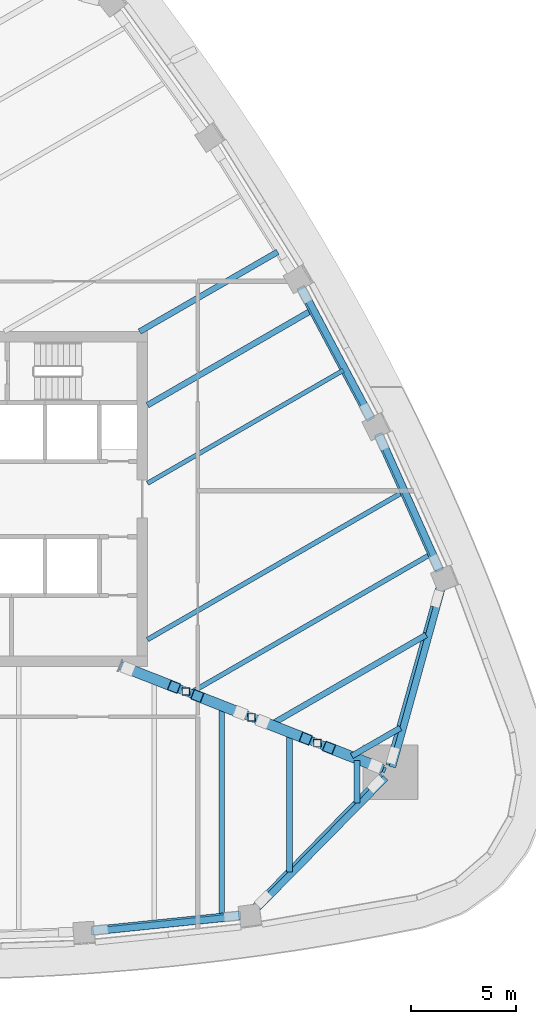
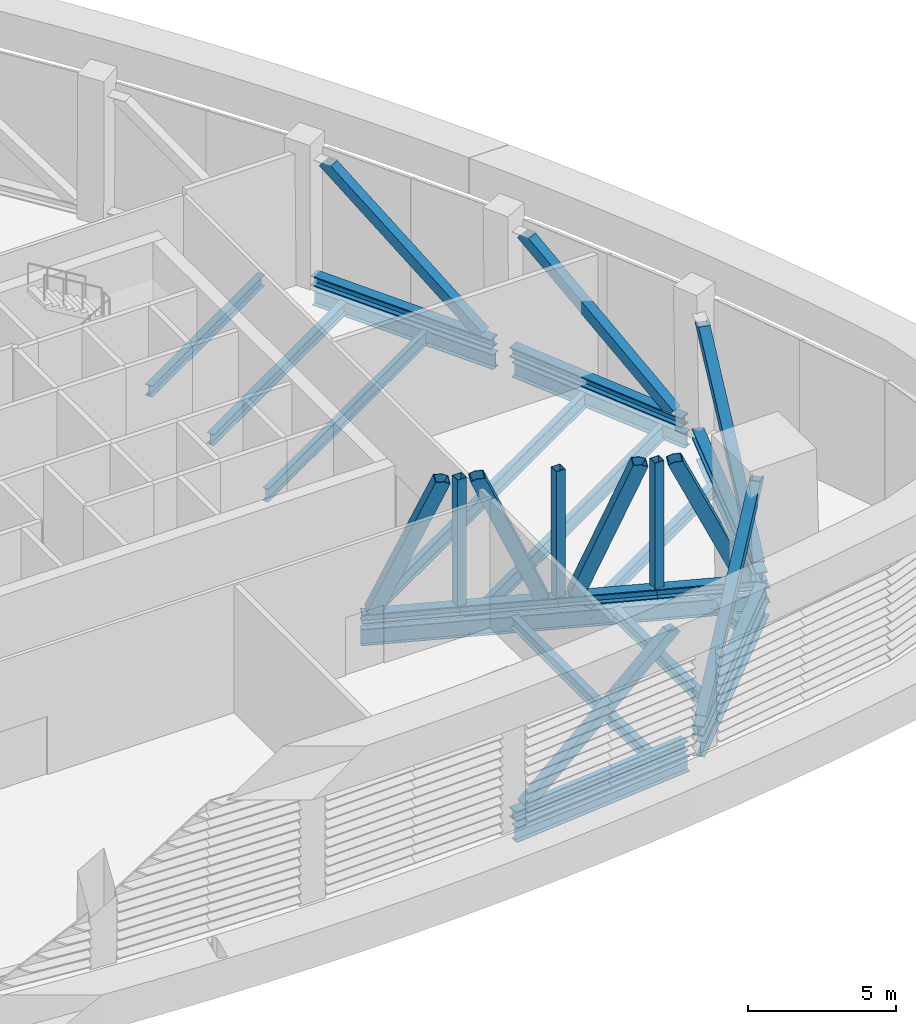
# One storey, part 3 of 18: 25 beams, 12 members.
"""IFC4 building model written with IfcOpenShell, lengths in metres."""

from ifc_helpers import new_model, si_unit, direction, frame, origin, origin_2d, place, context, subcontext, project, spatial, hollow_rectangle, i_section, extrude, clip, halfspace, material, material_profile, profile_set, type_object, element, save


model = new_model("IFC4")

# Units and contexts
model_context = context("Model", 3, precision=1e-05, world=origin(), true_north=direction((0.0, 1.0)))
body_context = subcontext(model_context, "Body", "Model", "MODEL_VIEW")
ifc_project = project(units=[si_unit("LENGTHUNIT", "METRE"), si_unit("AREAUNIT", "SQUARE_METRE"), si_unit("VOLUMEUNIT", "CUBIC_METRE"), si_unit("PLANEANGLEUNIT", "RADIAN"), si_unit("MASSUNIT", "GRAM", prefix="KILO")], contexts=[model_context])

# Site, building, storey
site_placement = place(None, origin())
site = spatial("IfcSite", under=ifc_project, at=site_placement, CompositionType="ELEMENT")
building_placement = place(site_placement, origin())
building = spatial("IfcBuilding", under=site, at=building_placement, Name="Sierra Prisma Convention Tower", CompositionType="ELEMENT")
storey_placement = place(building_placement, frame((0.0, 0.0, 213.800048828125)))
storey = spatial("IfcBuildingStorey", under=building, at=storey_placement, Name="L48", CompositionType="ELEMENT", Elevation=213.800048828125)

# Beams
ifc_material_1 = material(Name="Steel ASTM A992 Gr 50", Category="steel")
ifc_material_profile_1 = material_profile(ifc_material_1, i_section(OverallWidth=0.280029296875, OverallDepth=0.462890625, WebThickness=0.0107421875, FlangeThickness=0.017333984375, at=origin_2d()), Name="W460x113")
ifc_profile_set_1 = profile_set([ifc_material_profile_1], Name="Steel ASTM A992 Gr 50")
beam_type_1 = type_object("IfcBeamType", Name="Plant floor joist W460x113", PredefinedType="JOIST", material=ifc_profile_set_1)
beam_1_placement = place(storey_placement, frame((14.54638671875, -19.92236328125, -0.4814453125), z_axis=(0.0, 1.0, 0.0), x_axis=(-1.0, 0.0, 0.0)))
element("IfcBeam", 1, at=beam_1_placement, inside=storey, type_object=beam_type_1, Name="Floor joist L48 S12", PredefinedType="JOIST", context=body_context, shape_type="SweptSolid", body=[
    extrude(i_section(OverallWidth=0.280029296875, OverallDepth=0.462890625, WebThickness=0.0107421875, FlangeThickness=0.017333984375, at=origin_2d()), origin(), (0.0, 0.0, 1.0), 9.994140625),
])
beam_2_placement = place(storey_placement, frame((17.77880859375, -17.80908203125, -0.4814453125), z_axis=(0.0, 1.0, 0.0), x_axis=(-1.0, 0.0, 0.0)))
element("IfcBeam", 2, at=beam_2_placement, inside=storey, type_object=beam_type_1, Name="Floor joist L48 S13", PredefinedType="JOIST", context=body_context, shape_type="SweptSolid", body=[
    extrude(i_section(OverallWidth=0.280029296875, OverallDepth=0.462890625, WebThickness=0.0107421875, FlangeThickness=0.017333984375, at=origin_2d()), origin(), (0.0, 0.0, 1.0), 6.604736328125),
])
beam_3_placement = place(storey_placement, frame((21.01123046875, -14.524658203125, -0.4814453125), z_axis=(0.0, 1.0, 0.0), x_axis=(-1.0, 0.0, 0.0)))
element("IfcBeam", 3, at=beam_3_placement, inside=storey, type_object=beam_type_1, Name="Floor joist L48 S14", PredefinedType="JOIST", context=body_context, shape_type="SweptSolid", body=[
    extrude(i_section(OverallWidth=0.280029296875, OverallDepth=0.462890625, WebThickness=0.0107421875, FlangeThickness=0.017333984375, at=origin_2d()), origin(), (0.0, 0.0, 1.0), 2.044189453125),
])
beam_4_placement = place(storey_placement, frame((23.084228515625, -10.93408203125, -0.4814453125), z_axis=(-0.866030807744, -0.499990639951, 0.0), x_axis=(0.499990639951, -0.866030807744, 0.0)))
element("IfcBeam", 4, at=beam_4_placement, inside=storey, type_object=beam_type_1, Name="Floor joist L48 NE01", PredefinedType="JOIST", context=body_context, shape_type="SweptSolid", body=[
    extrude(i_section(OverallWidth=0.280029296875, OverallDepth=0.462890625, WebThickness=0.0107421875, FlangeThickness=0.017333984375, at=origin_2d()), origin(), (0.0, 0.0, 1.0), 2.67919921875),
])
beam_5_placement = place(storey_placement, frame((24.3125, -6.492431640625, -0.4814453125), z_axis=(-0.866034993062, -0.499983390516, 0.0), x_axis=(0.499983390516, -0.866034993062, 0.0)))
element("IfcBeam", 5, at=beam_5_placement, inside=storey, type_object=beam_type_1, Name="Floor joist L48 NE02", PredefinedType="JOIST", context=body_context, shape_type="SweptSolid", body=[
    extrude(i_section(OverallWidth=0.280029296875, OverallDepth=0.462890625, WebThickness=0.0107421875, FlangeThickness=0.017333984375, at=origin_2d()), origin(), (0.0, 0.0, 1.0), 8.531005859375),
])
beam_6_placement = place(storey_placement, frame((18.832275390625, 9.006591796875, -0.4814453125), z_axis=(-0.866025099701, -0.500000526688, 0.0), x_axis=(0.500000526688, -0.866025099701, 0.0)))
element("IfcBeam", 6, at=beam_6_placement, inside=storey, type_object=beam_type_1, Name="Floor joist L48 NE07", PredefinedType="JOIST", context=body_context, shape_type="SweptSolid", body=[
    extrude(i_section(OverallWidth=0.280029296875, OverallDepth=0.462890625, WebThickness=0.0107421875, FlangeThickness=0.017333984375, at=origin_2d()), origin(), (0.0, 0.0, 1.0), 9.0439453125),
])
beam_7_placement = place(storey_placement, frame((17.216064453125, 11.805908203125, -0.4814453125), z_axis=(-0.866033902678, -0.499985279196, 0.0), x_axis=(0.499985279196, -0.866033902678, 0.0)))
element("IfcBeam", 7, at=beam_7_placement, inside=storey, type_object=beam_type_1, Name="Floor joist L48 NE08", PredefinedType="JOIST", context=body_context, shape_type="SweptSolid", body=[
    extrude(i_section(OverallWidth=0.280029296875, OverallDepth=0.462890625, WebThickness=0.0107421875, FlangeThickness=0.017333984375, at=origin_2d()), origin(), (0.0, 0.0, 1.0), 7.612060546875),
])
ifc_material_2 = material(Name="Steel ASTM A992 Gr 50", Category="steel")
ifc_material_profile_2 = material_profile(ifc_material_2, i_section(OverallWidth=0.2119140625, OverallDepth=0.5439453125, WebThickness=0.01318359375, FlangeThickness=0.021240234375, at=origin_2d()), Name="W530x123")
ifc_profile_set_2 = profile_set([ifc_material_profile_2], Name="Steel ASTM A992 Gr 50")
beam_type_2 = type_object("IfcBeamType", Name="Plant floor joist W530x123", PredefinedType="JOIST", material=ifc_profile_set_2)
beam_8_placement = place(storey_placement, frame((20.353271484375, 6.152099609375, -0.52197265625), z_axis=(-0.866024093744, -0.500002269049, 0.0), x_axis=(0.500002269049, -0.866024093744, 0.0)))
element("IfcBeam", 8, at=beam_8_placement, inside=storey, type_object=beam_type_2, Name="Floor joist L48 NE06", PredefinedType="JOIST", context=body_context, shape_type="SweptSolid", body=[
    extrude(i_section(OverallWidth=0.2119140625, OverallDepth=0.5439453125, WebThickness=0.01318359375, FlangeThickness=0.021240234375, at=origin_2d()), origin(), (0.0, 0.0, 1.0), 10.80029296875),
])
ifc_material_3 = material(Name="Steel ASTM A992 Gr 50", Category="steel")
ifc_material_profile_3 = material_profile(ifc_material_3, i_section(OverallWidth=0.22900390625, OverallDepth=0.612060546875, WebThickness=0.011962890625, FlangeThickness=0.01953125, at=origin_2d()), Name="W610x125")
ifc_profile_set_3 = profile_set([ifc_material_profile_3], Name="Steel ASTM A992 Gr 50")
beam_type_3 = type_object("IfcBeamType", Name="Plant floor joist W610x125", PredefinedType="JOIST", material=ifc_profile_set_3)
beam_9_placement = place(storey_placement, frame((24.526611328125, -2.63623046875, -0.55615234375), z_axis=(-0.866026185661, -0.499998645748, 0.0), x_axis=(0.499998645748, -0.866026185661, 0.0)))
element("IfcBeam", 9, at=beam_9_placement, inside=storey, type_object=beam_type_3, Name="Floor joist L48 NE03", PredefinedType="JOIST", context=body_context, shape_type="SweptSolid", body=[
    extrude(i_section(OverallWidth=0.22900390625, OverallDepth=0.612060546875, WebThickness=0.011962890625, FlangeThickness=0.01953125, at=origin_2d()), origin(), (0.0, 0.0, 1.0), 13.2119140625),
])
beam_10_placement = place(storey_placement, frame((23.19677734375, 0.32861328125, -0.55615234375), z_axis=(-0.866027391063, -0.499996557917, 0.0), x_axis=(0.499996557917, -0.866027391063, 0.0)))
element("IfcBeam", 10, at=beam_10_placement, inside=storey, type_object=beam_type_3, Name="Floor joist L48 NE04", PredefinedType="JOIST", context=body_context, shape_type="SweptSolid", body=[
    extrude(i_section(OverallWidth=0.22900390625, OverallDepth=0.612060546875, WebThickness=0.011962890625, FlangeThickness=0.01953125, at=origin_2d()), origin(), (0.0, 0.0, 1.0), 14.08349609375),
])
ifc_material_4 = material(Name="Steel ASTM A992 Gr 50", Category="steel")
ifc_material_profile_4 = material_profile(ifc_material_4, i_section(OverallWidth=0.25390625, OverallDepth=0.68408203125, WebThickness=0.012451171875, FlangeThickness=0.018798828125, at=origin_2d()), Name="W690x140")
ifc_profile_set_4 = profile_set([ifc_material_profile_4], Name="Steel ASTM A992 Gr 50")
beam_type_4 = type_object("IfcBeamType", Name="Radial girder W690x140", PredefinedType="BEAM", material=ifc_profile_set_4)
beam_11_placement = place(storey_placement, frame((22.36767578125, -12.96142578125, -0.592041015625), z_axis=(-0.930144597199, 0.367193448064, 0.0), x_axis=(-0.367193448064, -0.930144597199, 0.0)))
element("IfcBeam", 11, at=beam_11_placement, inside=storey, type_object=beam_type_4, Name="Radial girder L48 SE", PredefinedType="BEAM", context=body_context, shape_type="SweptSolid", body=[
    extrude(i_section(OverallWidth=0.25390625, OverallDepth=0.68408203125, WebThickness=0.012451171875, FlangeThickness=0.018798828125, at=origin_2d()), origin(), (0.0, 0.0, 1.0), 13.63134765625),
])
ifc_material_5 = material(Name="Steel ASTM A992 Gr 50", Category="steel")
ifc_material_profile_5 = material_profile(ifc_material_5, i_section(OverallWidth=0.324951171875, OverallDepth=0.615966796875, WebThickness=0.013916015625, FlangeThickness=0.021484375, at=origin_2d()), Name="W610x174")
ifc_profile_set_5 = profile_set([ifc_material_profile_5], Name="Steel ASTM A992 Gr 50")
beam_type_5 = type_object("IfcBeamType", Name="Spandrel beam W610x174", PredefinedType="BEAM", material=ifc_profile_set_5)
beam_12_placement = place(storey_placement, frame((8.347900390625, -20.670166015625, -0.55810546875), z_axis=(0.994804665252, 0.101802151224, 0.0), x_axis=(-0.101802151224, 0.994804665252, 0.0)))
element("IfcBeam", 12, at=beam_12_placement, inside=storey, type_object=beam_type_5, Name="Spandrel L48-05", PredefinedType="BEAM", context=body_context, shape_type="SweptSolid", body=[
    extrude(i_section(OverallWidth=0.324951171875, OverallDepth=0.615966796875, WebThickness=0.013916015625, FlangeThickness=0.021484375, at=origin_2d()), origin(), (0.0, 0.0, 1.0), 7.2138671875),
])
beam_13_placement = place(storey_placement, frame((16.261474609375, -19.532470703125, -0.55810546875), z_axis=(0.70143674743, 0.712731709239, 0.0), x_axis=(-0.712731709239, 0.70143674743, 0.0)))
element("IfcBeam", 13, at=beam_13_placement, inside=storey, type_object=beam_type_5, Name="Spandrel L48-06", PredefinedType="BEAM", context=body_context, shape_type="SweptSolid", body=[
    extrude(i_section(OverallWidth=0.324951171875, OverallDepth=0.615966796875, WebThickness=0.013916015625, FlangeThickness=0.021484375, at=origin_2d()), origin(), (0.0, 0.0, 1.0), 8.7109375),
])
beam_14_placement = place(storey_placement, frame((22.699462890625, -12.803955078125, -0.55810546875), z_axis=(0.26649399375, 0.963836579144, 0.0), x_axis=(-0.963836579144, 0.26649399375, 0.0)))
element("IfcBeam", 14, at=beam_14_placement, inside=storey, type_object=beam_type_5, Name="Spandrel L48-07", PredefinedType="BEAM", context=body_context, shape_type="SweptSolid", body=[
    extrude(i_section(OverallWidth=0.324951171875, OverallDepth=0.615966796875, WebThickness=0.013916015625, FlangeThickness=0.021484375, at=origin_2d()), origin(), (0.0, 0.0, 1.0), 8.8056640625),
])
for number, where, z_axis, x_axis, name in (
    (15, (25.02685546875, -3.4765625, -0.55810546875), (-0.409210408801, 0.912440048074, 0.0), (-0.912440048074, -0.409210408801, 0.0), "Spandrel L48-08"),
    (16, (21.740478515625, 3.7880859375, -0.55810546875), (-0.470266741635, 0.882524329246, 0.0), (-0.882524329246, -0.470266741635, 0.0), "Spandrel L48-09"),
):
    element("IfcBeam", number, at=place(storey_placement, frame(where, z_axis=z_axis, x_axis=x_axis)), inside=storey, type_object=beam_type_5, Name=name, PredefinedType="BEAM", context=body_context, shape_type="SweptSolid", body=[
        extrude(i_section(OverallWidth=0.324951171875, OverallDepth=0.615966796875, WebThickness=0.013916015625, FlangeThickness=0.021484375, at=origin_2d()), origin(), (0.0, 0.0, 1.0), 7.213623046875),
    ])
ifc_material_6 = material(Name="Steel ASTM A992 Gr 50", Category="steel")
ifc_material_profile_6 = material_profile(ifc_material_6, i_section(OverallWidth=0.404052734375, OverallDepth=0.406982421875, WebThickness=0.027099609375, FlangeThickness=0.04443359375, at=origin_2d()), Name="W360x347")
ifc_profile_set_6 = profile_set([ifc_material_profile_6], Name="Steel ASTM A992 Gr 50")
beam_type_6 = type_object("IfcBeamType", Name="Truss chord W360x347", PredefinedType="BEAM", material=ifc_profile_set_6)
beam_15_placement = place(storey_placement, frame((8.312744140625, -20.62548828125, 0.203369140625), z_axis=(0.994795590203, 0.101890793075, 0.0), x_axis=(-0.101890793075, 0.994795590203, 0.0)))
element("IfcBeam", 17, at=beam_15_placement, inside=storey, type_object=beam_type_6, Name="Belt truss L48-05 bottom chord 1", PredefinedType="BEAM", context=body_context, shape_type="SweptSolid", body=[
    extrude(i_section(OverallWidth=0.404052734375, OverallDepth=0.406982421875, WebThickness=0.027099609375, FlangeThickness=0.04443359375, at=origin_2d()), origin(), (0.0, 0.0, 1.0), 7.1787109375),
])
beam_16_placement = place(storey_placement, frame((16.19091796875, -19.4873046875, 0.203369140625), z_axis=(0.698053005961, 0.716046088509, 0.0), x_axis=(-0.716046088509, 0.698053005961, 0.0)))
element("IfcBeam", 18, at=beam_16_placement, inside=storey, type_object=beam_type_6, Name="Belt truss L48-06 bottom chord 1", PredefinedType="BEAM", context=body_context, shape_type="SweptSolid", body=[
    extrude(i_section(OverallWidth=0.404052734375, OverallDepth=0.406982421875, WebThickness=0.027099609375, FlangeThickness=0.04443359375, at=origin_2d()), origin(), (0.0, 0.0, 1.0), 8.697509765625),
])
beam_17_placement = place(storey_placement, frame((22.589111328125, -12.739501953125, 0.203369140625), z_axis=(0.271072915842, 0.962558816019, 0.0), x_axis=(-0.962558816019, 0.271072915842, 0.0)))
element("IfcBeam", 19, at=beam_17_placement, inside=storey, type_object=beam_type_6, Name="Belt truss L48-07 bottom chord 1", PredefinedType="BEAM", context=body_context, shape_type="SweptSolid", body=[
    extrude(i_section(OverallWidth=0.404052734375, OverallDepth=0.406982421875, WebThickness=0.027099609375, FlangeThickness=0.04443359375, at=origin_2d()), origin(), (0.0, 0.0, 1.0), 8.790283203125),
])
beam_18_placement = place(storey_placement, frame((24.955810546875, -3.4365234375, 0.203369140625), z_axis=(-0.409175036838, 0.912455910841, 0.0), x_axis=(-0.912455910841, -0.409175036838, 0.0)))
element("IfcBeam", 20, at=beam_18_placement, inside=storey, type_object=beam_type_6, Name="Belt truss L48-08 bottom chord 1", PredefinedType="BEAM", context=body_context, shape_type="SweptSolid", body=[
    extrude(i_section(OverallWidth=0.404052734375, OverallDepth=0.406982421875, WebThickness=0.027099609375, FlangeThickness=0.04443359375, at=origin_2d()), origin(), (0.0, 0.0, 1.0), 7.178466796875),
])
beam_19_placement = place(storey_placement, frame((21.68408203125, 3.796142578125, 0.203369140625), z_axis=(-0.470243989618, 0.882536452634, 0.0), x_axis=(-0.882536452634, -0.470243989618, 0.0)))
element("IfcBeam", 21, at=beam_19_placement, inside=storey, type_object=beam_type_6, Name="Belt truss L48-09 bottom chord 1", PredefinedType="BEAM", context=body_context, shape_type="SweptSolid", body=[
    extrude(i_section(OverallWidth=0.404052734375, OverallDepth=0.406982421875, WebThickness=0.027099609375, FlangeThickness=0.04443359375, at=origin_2d()), origin(), (0.0, 0.0, 1.0), 7.1787109375),
])
for number, where, z_axis, x_axis, name in (
    (22, (22.255859375, -12.897216796875, 0.203369140625), (-0.930669722047, 0.36586044944, 0.0), (-0.36586044944, -0.930669722047, 0.0), "Outrigger truss L48 SE bottom chord 1"),
    (23, (19.114013671875, -11.662109375, 0.203369140625), (-0.930645096408, 0.365923085541, 0.0), (-0.365923085541, -0.930645096408, 0.0), "Outrigger truss L48 SE bottom chord 2"),
):
    element("IfcBeam", number, at=place(storey_placement, frame(where, z_axis=z_axis, x_axis=x_axis)), inside=storey, type_object=beam_type_6, Name=name, PredefinedType="BEAM", context=body_context, shape_type="SweptSolid", body=[
        extrude(i_section(OverallWidth=0.404052734375, OverallDepth=0.406982421875, WebThickness=0.027099609375, FlangeThickness=0.04443359375, at=origin_2d()), origin(), (0.0, 0.0, 1.0), 3.3759765625),
    ])
beam_20_placement = place(storey_placement, frame((15.97216796875, -10.4267578125, 0.203369140625), z_axis=(-0.930654778631, 0.365898459974, 0.0), x_axis=(-0.365898459974, -0.930654778631, 0.0)))
element("IfcBeam", 24, at=beam_20_placement, inside=storey, type_object=beam_type_6, Name="Outrigger truss L48 SE bottom chord 3", PredefinedType="BEAM", context=body_context, shape_type="SweptSolid", body=[
    extrude(i_section(OverallWidth=0.404052734375, OverallDepth=0.406982421875, WebThickness=0.027099609375, FlangeThickness=0.04443359375, at=origin_2d()), origin(), (0.0, 0.0, 1.0), 3.376220703125),
])
beam_21_placement = place(storey_placement, frame((12.830078125, -9.19140625, 0.203369140625), z_axis=(-0.930649915658, 0.365910828598, 0.0), x_axis=(-0.365910828598, -0.930649915658, 0.0)))
element("IfcBeam", 25, at=beam_21_placement, inside=storey, type_object=beam_type_6, Name="Outrigger truss L48 SE bottom chord 4", PredefinedType="BEAM", context=body_context, shape_type="SweptSolid", body=[
    extrude(i_section(OverallWidth=0.404052734375, OverallDepth=0.406982421875, WebThickness=0.027099609375, FlangeThickness=0.04443359375, at=origin_2d()), origin(), (0.0, 0.0, 1.0), 3.36083984375),
])

# Members
ifc_material_7 = material(Name="Steel ASTM A500 Gr C", Category="steel")
ifc_material_profile_7 = material_profile(ifc_material_7, hollow_rectangle(XDim=0.406005859375, YDim=0.406005859375, WallThickness=0.01904296875, at=origin_2d()), Name="Truss diagonal HSS 406x406x19")
ifc_profile_set_7 = profile_set([ifc_material_profile_7], Name="Steel ASTM A500 Gr C")
member_type_1 = type_object("IfcMemberType", Name="Truss diagonal HSS 406x406x19", PredefinedType="BRACE", material=ifc_profile_set_7)
member_1_placement = place(storey_placement, frame((8.76318359375, -20.579345703125, 0.406982421875), z_axis=(0.788400883793, 0.080752484889, 0.60983857095), x_axis=(-0.101892581208, 0.994795407054, 0.0)))
element("IfcMember", 26, at=member_1_placement, inside=storey, type_object=member_type_1, Name="Belt truss L48-05 diagonal 1", PredefinedType="BRACE", context=body_context, shape_type="SweptSolid", body=[
    clip(clip(extrude(hollow_rectangle(XDim=0.406005859375, YDim=0.406005859375, WallThickness=0.01904296875, at=origin_2d()), origin(), (0.0, 0.0, 1.0), 7.9150390625), halfspace(frame((0.0, 0.01171875, 0.00927734375), z_axis=(0.0, 0.792525657239, 0.60983857095), x_axis=(1.0, 0.0, 0.0)), True)), halfspace(frame((0.0, -0.01171875, 7.906005859375), z_axis=(0.0, -0.792525657239, -0.60983857095), x_axis=(1.0, 0.0, 0.0)), True)),
])
member_2_placement = place(storey_placement, frame((16.54150390625, -19.1279296875, 0.406982421875), z_axis=(0.591295909802, 0.606564177146, 0.531459355035), x_axis=(-0.716061600387, 0.698037093894, 0.0)))
element("IfcMember", 27, at=member_2_placement, inside=storey, type_object=member_type_1, Name="Belt truss L48-06 diagonal 1", PredefinedType="BRACE", context=body_context, shape_type="SweptSolid", body=[
    clip(clip(extrude(hollow_rectangle(XDim=0.406005859375, YDim=0.406005859375, WallThickness=0.01904296875, at=origin_2d()), origin(), (0.0, 0.0, 1.0), 9.082275390625), halfspace(frame((0.0, 0.0126953125, 0.0078125), z_axis=(0.0, 0.847083793934, 0.531459355035), x_axis=(1.0, 0.0, 0.0)), True)), halfspace(frame((0.0, -0.0126953125, 9.074462890625), z_axis=(0.0, -0.847083793934, -0.531459355035), x_axis=(1.0, 0.0, 0.0)), True)),
])
member_3_placement = place(storey_placement, frame((22.725830078125, -12.25341796875, 0.406982421875), z_axis=(0.230379713881, 0.817927977233, 0.527180245733), x_axis=(-0.962547362073, 0.271113584623, 0.0)))
element("IfcMember", 28, at=member_3_placement, inside=storey, type_object=member_type_1, Name="Belt truss L48-07 diagonal 1", PredefinedType="BRACE", context=body_context, shape_type="SweptSolid", body=[
    clip(clip(extrude(hollow_rectangle(XDim=0.406005859375, YDim=0.406005859375, WallThickness=0.01904296875, at=origin_2d()), origin(), (0.0, 0.0, 1.0), 9.156005859375), halfspace(frame((0.0, 0.0126953125, 0.0078125), z_axis=(0.0, 0.849753486906, 0.527180245733), x_axis=(1.0, 0.0, 0.0)), True)), halfspace(frame((0.000244140625, -0.0126953125, 9.148193359375), z_axis=(0.0, -0.849753486906, -0.527180245733), x_axis=(1.0, 0.0, 0.0)), True)),
])
member_4_placement = place(storey_placement, frame((24.7705078125, -3.0234375, 0.406982421875), z_axis=(-0.324270937572, 0.723155343991, 0.609831704246), x_axis=(-0.912463232095, -0.40915871013, 0.0)))
element("IfcMember", 29, at=member_4_placement, inside=storey, type_object=member_type_1, Name="Belt truss L48-08 diagonal 1", PredefinedType="BRACE", context=body_context, shape_type="SweptSolid", body=[
    clip(clip(extrude(hollow_rectangle(XDim=0.406005859375, YDim=0.406005859375, WallThickness=0.01904296875, at=origin_2d()), origin(), (0.0, 0.0, 1.0), 7.9150390625), halfspace(frame((0.0, 0.01171875, 0.009033203125), z_axis=(0.0, 0.792530941034, 0.609831704246), x_axis=(1.0, 0.0, 0.0)), True)), halfspace(frame((0.0, -0.01171875, 7.906005859375), z_axis=(0.0, -0.792530941034, -0.609831704246), x_axis=(1.0, 0.0, 0.0)), True)),
])
member_5_placement = place(storey_placement, frame((21.47119140625, 4.19580078125, 0.406982421875), z_axis=(-0.372677149285, 0.699425124982, 0.609849355944), x_axis=(-0.882536032481, -0.470244778145, 0.0)))
element("IfcMember", 30, at=member_5_placement, inside=storey, type_object=member_type_1, Name="Belt truss L48-09 diagonal 1", PredefinedType="BRACE", context=body_context, shape_type="SweptSolid", body=[
    clip(clip(extrude(hollow_rectangle(XDim=0.406005859375, YDim=0.406005859375, WallThickness=0.01904296875, at=origin_2d()), origin(), (0.0, 0.0, 1.0), 7.914794921875), halfspace(frame((0.0, 0.01171875, 0.009033203125), z_axis=(0.0, 0.792516233011, 0.609850818163), x_axis=(1.0, 0.0, 0.0)), True)), halfspace(frame((0.0, -0.011962890625, 7.906005859375), z_axis=(0.0, -0.792517358204, -0.609849355944), x_axis=(1.0, 0.0, 0.0)), True)),
])
ifc_material_8 = material(Name="Steel ASTM A572 Gr 50", Category="steel")
ifc_material_profile_8 = material_profile(ifc_material_8, hollow_rectangle(XDim=0.508056640625, YDim=0.508056640625, WallThickness=0.025390625, at=origin_2d()), Name="Truss diagonal HSS 508x508x25")
ifc_profile_set_8 = profile_set([ifc_material_profile_8], Name="Steel ASTM A572 Gr 50")
member_type_2 = type_object("IfcMemberType", Name="Truss diagonal HSS 508x508x25", PredefinedType="BRACE", material=ifc_profile_set_8)
member_6_placement = place(storey_placement, frame((21.884033203125, -12.751220703125, 0.406982421875), z_axis=(-0.387841853077, 0.152507304939, 0.909021572319), x_axis=(-0.365945166235, -0.930636414132, 0.0)))
element("IfcMember", 31, at=member_6_placement, inside=storey, type_object=member_type_2, Name="Outrigger truss L48 SE diagonal 1", PredefinedType="BRACE", context=body_context, shape_type="SweptSolid", body=[
    clip(clip(extrude(hollow_rectangle(XDim=0.508056640625, YDim=0.508056640625, WallThickness=0.025390625, at=origin_2d()), origin(), (0.0, 0.0, 1.0), 5.756591796875), halfspace(frame((0.0, 0.006103515625, 0.013427734375), z_axis=(0.0, 0.416749062456, 0.909021572319), x_axis=(1.0, 0.0, 0.0)), True)), halfspace(frame((0.0, 0.0, 5.756591796875), z_axis=(0.0, -0.416749062456, -0.909021572319), x_axis=(1.0, 0.0, 0.0)), True)),
])
member_7_placement = place(storey_placement, frame((18.57958984375, -11.451904296875, 5.639892578125), z_axis=(-0.364534251756, 0.143332532573, -0.920092693375), x_axis=(-0.365923609208, -0.930644890505, 0.0)))
element("IfcMember", 32, at=member_7_placement, inside=storey, type_object=member_type_2, Name="Outrigger truss L48 SE diagonal 2", PredefinedType="BRACE", context=body_context, shape_type="SweptSolid", body=[
    clip(clip(extrude(hollow_rectangle(XDim=0.508056640625, YDim=0.508056640625, WallThickness=0.025390625, at=origin_2d()), origin(), (0.0, 0.0, 1.0), 5.687255859375), halfspace(frame((0.0, 0.0, 0.0), z_axis=(0.0, -0.391700696447, 0.920092693375), x_axis=(1.0, 0.0, 0.0)), True)), halfspace(frame((0.0, 0.005859375, 5.673583984375), z_axis=(0.0, 0.391700696447, -0.920092693375), x_axis=(1.0, 0.0, 0.0)), True)),
])
member_8_placement = place(storey_placement, frame((15.437744140625, -10.216552734375, 0.406982421875), z_axis=(-0.364534251756, 0.143332532573, 0.920092693375), x_axis=(-0.365923609208, -0.930644890505, 0.0)))
element("IfcMember", 33, at=member_8_placement, inside=storey, type_object=member_type_2, Name="Outrigger truss L48 SE diagonal 3", PredefinedType="BRACE", context=body_context, shape_type="SweptSolid", body=[
    clip(clip(extrude(hollow_rectangle(XDim=0.508056640625, YDim=0.508056640625, WallThickness=0.025390625, at=origin_2d()), origin(), (0.0, 0.0, 1.0), 5.687255859375), halfspace(frame((0.0, 0.005859375, 0.013671875), z_axis=(0.0, 0.391700696447, 0.920092693375), x_axis=(1.0, 0.0, 0.0)), True)), halfspace(frame((0.0, 0.0, 5.687255859375), z_axis=(0.0, -0.391700696447, -0.920092693375), x_axis=(1.0, 0.0, 0.0)), True)),
])
member_9_placement = place(storey_placement, frame((12.292724609375, -8.97998046875, 5.639892578125), z_axis=(-0.387844361265, 0.152465880672, -0.909027450997), x_axis=(-0.365857024687, -0.930671068363, 0.0)))
element("IfcMember", 34, at=member_9_placement, inside=storey, type_object=member_type_2, Name="Outrigger truss L48 SE diagonal 4", PredefinedType="BRACE", context=body_context, shape_type="SweptSolid", body=[
    clip(clip(extrude(hollow_rectangle(XDim=0.508056640625, YDim=0.508056640625, WallThickness=0.025390625, at=origin_2d()), origin(), (0.0, 0.0, 1.0), 5.756591796875), halfspace(frame((0.0, 0.0, 0.0), z_axis=(0.0, -0.416736239526, 0.909027450997), x_axis=(1.0, 0.0, 0.0)), True)), halfspace(frame((0.0, 0.006103515625, 5.7431640625), z_axis=(0.0, 0.416736239526, -0.909027450997), x_axis=(1.0, 0.0, 0.0)), True)),
])
ifc_material_9 = material(Name="Steel ASTM A500 Gr C", Category="steel")
ifc_material_profile_9 = material_profile(ifc_material_9, hollow_rectangle(XDim=0.35595703125, YDim=0.35595703125, WallThickness=0.015869140625, at=origin_2d()), Name="Truss post HSS 356x356x16")
ifc_profile_set_9 = profile_set([ifc_material_profile_9], Name="Steel ASTM A500 Gr C")
member_type_3 = type_object("IfcMemberType", Name="Truss post HSS 356x356x16", PredefinedType="POST", material=ifc_profile_set_9)
for number, where, z_axis, x_axis, name in (
    (35, (19.114013671875, -11.662109375, 0.421875), (0.0, 0.0, 1.0), (1.0, 0.0, 0.0), "Outrigger truss L48 SE post 1"),
    (36, (15.97216796875, -10.4267578125, 0.421875), (0.0, 0.0, 1.0), (1.0, 0.0, 0.0), "Outrigger truss L48 SE post 2"),
    (37, (12.830078125, -9.19140625, 0.421875), (0.0, 0.0, 1.0), (1.0, 0.0, 0.0), "Outrigger truss L48 SE post 3"),
):
    element("IfcMember", number, at=place(storey_placement, frame(where, z_axis=z_axis, x_axis=x_axis)), inside=storey, type_object=member_type_3, Name=name, PredefinedType="POST", context=body_context, shape_type="SweptSolid", body=[
        extrude(hollow_rectangle(XDim=0.35595703125, YDim=0.35595703125, WallThickness=0.015869140625, at=origin_2d()), origin(), (0.0, 0.0, 1.0), 5.218017578125),
    ])

save(model, "model.ifc")
